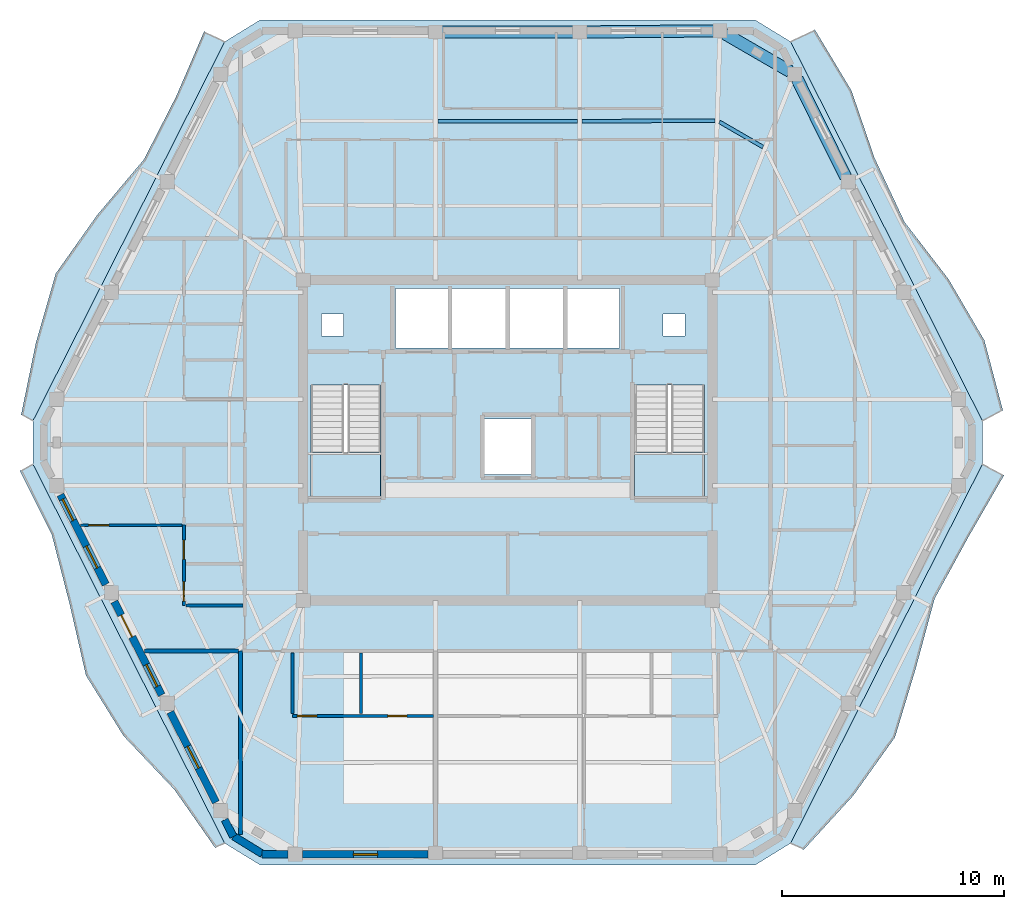
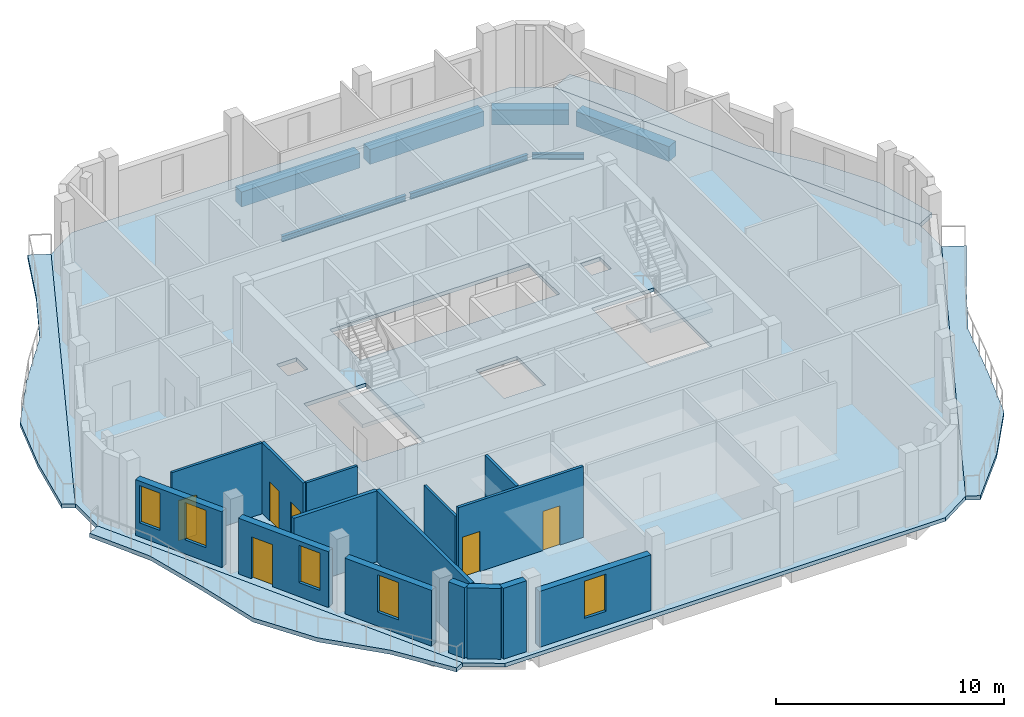
# One storey, part 3 of 11: 15 walls, 7 beams, 7 slabs, 6 doors, 5 windows, 11 openings, 2 elements without a shape of their own.
"""IFC4 building model written with IfcOpenShell, lengths in metres."""

import ifcopenshell
import ifcopenshell.guid

model = None  # the IFC model being written
_history = None  # IfcOwnerHistory: only IFC2X3 demands one
_inside = {}  # id of a spatial element -> (the spatial element, [elements in it])
_under = {}  # id of a project, library or spatial element -> (it, [spatial elements below it])
_declared = {}  # id of a project -> (the project, [libraries it declares])
_typed = {}  # id of a type object -> (the type object, [elements of that type])
_made_of = {}  # id of a material, layer set ... -> (it, [elements and type objects made of it])


def new_model(schema):
    """Start an empty IFC model of exactly this schema.

    Asked for "IFC4X3", IfcOpenShell would pick the latest addendum, in which some entities
    have other attributes; the version numbers below select the first issue.
    IFC2X3 requires an IfcOwnerHistory on every rooted entity: one is made here for all.
    """
    global model, _history
    if schema == "IFC4X3":
        model = ifcopenshell.file(schema_version=(4, 3, 0, 0))
    else:
        model = ifcopenshell.file(schema=schema)
    _inside.clear()
    _under.clear()
    _declared.clear()
    _typed.clear()
    _made_of.clear()
    _history = None
    if model.schema == "IFC2X3":
        org = make("IfcOrganization", Name="unknown")
        user = make(
            "IfcPersonAndOrganization",
            ThePerson=make("IfcPerson", FamilyName="unknown"),
            TheOrganization=org,
        )
        app = make(
            "IfcApplication",
            ApplicationDeveloper=org,
            Version="unknown",
            ApplicationFullName="unknown",
            ApplicationIdentifier="unknown",
        )
        _history = make(
            "IfcOwnerHistory",
            OwningUser=user,
            OwningApplication=app,
            ChangeAction="ADDED",
            CreationDate=0,
        )
    return model


def make(cls, **values):
    """One entity of the class cls with the attributes given. An attribute that is None is left unset."""
    return model.create_entity(
        cls, **{name: value for name, value in values.items() if value is not None}
    )


def rooted(cls, **values):
    """An entity with a GlobalId (a new one), such as an element, a storey or a relation."""
    return make(cls, GlobalId=ifcopenshell.guid.new(), OwnerHistory=_history, **values)


def si_unit(unit_type, name, prefix=None):
    """IfcSIUnit, for example si_unit("LENGTHUNIT", "METRE", prefix="MILLI")."""
    return make("IfcSIUnit", UnitType=unit_type, Prefix=prefix, Name=name)


def assignment(units):
    """IfcUnitAssignment: the units of a project."""
    return None if units is None else make("IfcUnitAssignment", Units=units)


def point(xyz):
    """IfcCartesianPoint."""
    return None if xyz is None else make("IfcCartesianPoint", Coordinates=xyz)


def direction(xyz):
    """IfcDirection."""
    return None if xyz is None else make("IfcDirection", DirectionRatios=xyz)


def frame(location, z_axis=None, x_axis=None):
    """IfcAxis2Placement3D, a coordinate frame: its origin and axes. An axis left out is left unset."""
    return make(
        "IfcAxis2Placement3D",
        Location=point(location),
        Axis=direction(z_axis),
        RefDirection=direction(x_axis),
    )


def frame_2d(location, x_axis=None):
    """IfcAxis2Placement2D, a coordinate frame in the plane: its origin and x axis."""
    return make(
        "IfcAxis2Placement2D", Location=point(location), RefDirection=direction(x_axis)
    )


def origin():
    """The frame at (0, 0, 0) with its axes left unset."""
    return frame((0.0, 0.0, 0.0))


def origin_2d():
    """The frame at (0, 0) in the plane with its x axis left unset."""
    return frame_2d((0.0, 0.0))


def place(relative_to, where):
    """IfcLocalPlacement: puts the frame where relative to a parent placement (None: the world)."""
    return make(
        "IfcLocalPlacement", PlacementRelTo=relative_to, RelativePlacement=where
    )


def context(
    kind, dimensions, precision=None, world=None, true_north=None, identifier=None
):
    """IfcGeometricRepresentationContext, for example the 3D "Model" context."""
    return make(
        "IfcGeometricRepresentationContext",
        ContextIdentifier=identifier,
        ContextType=kind,
        CoordinateSpaceDimension=dimensions,
        Precision=precision,
        WorldCoordinateSystem=world,
        TrueNorth=true_north,
    )


def subcontext(parent, identifier, kind, view, scale=None):
    """IfcGeometricRepresentationSubContext, for example "Body" below "Model"."""
    return make(
        "IfcGeometricRepresentationSubContext",
        ContextIdentifier=identifier,
        ContextType=kind,
        ParentContext=parent,
        TargetScale=scale,
        TargetView=view,
    )


def project(units=None, contexts=None):
    """IfcProject with its units and contexts."""
    return rooted(
        "IfcProject",
        Name="project",
        RepresentationContexts=contexts,
        UnitsInContext=assignment(units),
    )


def spatial(cls, under=None, at=None, **own):
    """A site, building, storey or space (cls), placed at a placement, below another one or the project."""
    s = rooted(cls, ObjectPlacement=at, **own)
    if under is not None:
        _under.setdefault(under.id(), (under, []))[1].append(s)
    return s


def polyline(points):
    """IfcPolyline through the points."""
    return make("IfcPolyline", Points=[point(p) for p in points])


def profile(cls, at=None, kind="AREA", **sizes):
    """A parametric profile (cls). Its sizes go by their IFC names, for example OverallWidth=200.0."""
    return make(cls, ProfileType=kind, Position=at, **sizes)


def rectangle(**sizes):
    """IfcRectangleProfileDef."""
    return profile("IfcRectangleProfileDef", **sizes)


def i_section(**sizes):
    """IfcIShapeProfileDef."""
    return profile("IfcIShapeProfileDef", **sizes)


def outline(outer, holes=None, kind="AREA"):
    """IfcArbitraryClosedProfileDef: a profile drawn as a closed curve; with holes, ...WithVoids."""
    if holes is None:
        return make("IfcArbitraryClosedProfileDef", ProfileType=kind, OuterCurve=outer)
    return make(
        "IfcArbitraryProfileDefWithVoids",
        ProfileType=kind,
        OuterCurve=outer,
        InnerCurves=holes,
    )


def extrude(swept, where, along, depth):
    """IfcExtrudedAreaSolid: the profile swept, set in the frame where, extruded along a direction by depth."""
    return make(
        "IfcExtrudedAreaSolid",
        SweptArea=swept,
        Position=where,
        ExtrudedDirection=direction(along),
        Depth=depth,
    )


def shape(context_of_items, identifier, shape_type, items):
    """IfcShapeRepresentation: the items that make up one representation, for example the "Body"."""
    return make(
        "IfcShapeRepresentation",
        ContextOfItems=context_of_items,
        RepresentationIdentifier=identifier,
        RepresentationType=shape_type,
        Items=items,
    )


def material(Name=None, Category=None):
    """IfcMaterial."""
    return make("IfcMaterial", Name=Name, Category=Category)


def layer(
    of_material, thickness, ventilated=None, Name=None, Category=None, Priority=None
):
    """IfcMaterialLayer: one layer of a wall or slab, of a material (None: an air gap)."""
    return make(
        "IfcMaterialLayer",
        Material=of_material,
        LayerThickness=thickness,
        IsVentilated=ventilated,
        Name=Name,
        Category=Category,
        Priority=Priority,
    )


def layer_set(layers, Name=None):
    """IfcMaterialLayerSet."""
    return make("IfcMaterialLayerSet", MaterialLayers=layers, LayerSetName=Name)


def material_profile(
    of_material, cross_section, Name=None, Category=None, Priority=None
):
    """IfcMaterialProfile: a cross section and its material."""
    return make(
        "IfcMaterialProfile",
        Name=Name,
        Material=of_material,
        Profile=cross_section,
        Priority=Priority,
        Category=Category,
    )


def profile_set(profiles, Name=None, composite=None):
    """IfcMaterialProfileSet."""
    return make(
        "IfcMaterialProfileSet",
        Name=Name,
        MaterialProfiles=profiles,
        CompositeProfile=composite,
    )


def made_of(thing, what):
    """Note that an element or type object is made of a material, layer set ...; save() writes the relation."""
    if what is not None:
        _made_of.setdefault(what.id(), (what, []))[1].append(thing)
    return thing


def type_object(cls, material=None, **own):
    """A type object (cls), such as IfcWallType, which elements share."""
    return made_of(rooted(cls, **own), material)


def element(
    cls,
    number,
    at=None,
    inside=None,
    cuts=None,
    type_object=None,
    material=None,
    context=None,
    identifier="Body",
    shape_type=None,
    held_by="IfcProductDefinitionShape",
    body=None,
    shapes=None,
    **own,
):
    """One element of the class cls, such as IfcWall. Its Tag is "e" and its number.

    at: its placement. inside: the storey or other place that contains it. cuts: it is an
    opening in that element (IfcRelVoidsElement). A single representation is given by context,
    identifier, shape_type and body (its items); several are given by shapes. held_by: the class
    of the entity that holds the representations. save() writes the other relations.
    """
    e = rooted(cls, Tag="e%d" % number, ObjectPlacement=at, **own)
    if body is not None:
        shapes = [shape(context, identifier, shape_type, body)]
    if shapes is not None:
        e.Representation = make(held_by, Representations=shapes)
    if inside is not None:
        _inside.setdefault(inside.id(), (inside, []))[1].append(e)
    if cuts is not None:
        rooted(
            "IfcRelVoidsElement", RelatingBuildingElement=cuts, RelatedOpeningElement=e
        )
    if type_object is not None:
        _typed.setdefault(type_object.id(), (type_object, []))[1].append(e)
    return made_of(e, material)


def fill(opening, filler):
    """IfcRelFillsElement: the door or window that sits in an opening."""
    return rooted(
        "IfcRelFillsElement",
        RelatingOpeningElement=opening,
        RelatedBuildingElement=filler,
    )


def aggregate(whole, parts):
    """IfcRelAggregates: a whole, such as a stair, and the parts it consists of."""
    return rooted("IfcRelAggregates", RelatingObject=whole, RelatedObjects=parts)


def save(model, path):
    """Write the relations noted so far, then the file.

    IfcRelAggregates (storeys below a building ...), IfcRelContainedInSpatialStructure (elements
    in a storey), IfcRelDefinesByType, IfcRelAssociatesMaterial and IfcRelDeclares: one each for
    every whole, place, type object, material and project.
    """
    for whole, parts in _under.values():
        aggregate(whole, parts)
    for where, things in _inside.values():
        rooted(
            "IfcRelContainedInSpatialStructure",
            RelatedElements=things,
            RelatingStructure=where,
        )
    for kind, things in _typed.values():
        rooted("IfcRelDefinesByType", RelatedObjects=things, RelatingType=kind)
    for what, things in _made_of.values():
        rooted("IfcRelAssociatesMaterial", RelatedObjects=things, RelatingMaterial=what)
    for by, libraries in _declared.values():
        rooted("IfcRelDeclares", RelatingContext=by, RelatedDefinitions=libraries)
    model.write(path)


model = new_model("IFC4")

# Units and contexts
model_context = context("Model", 3, precision=1e-05, world=origin(), true_north=direction((0.0, 1.0)))
body_context = subcontext(model_context, "Body", "Model", "MODEL_VIEW")
ifc_project = project(units=[si_unit("LENGTHUNIT", "METRE"), si_unit("AREAUNIT", "SQUARE_METRE"), si_unit("VOLUMEUNIT", "CUBIC_METRE"), si_unit("PLANEANGLEUNIT", "RADIAN"), si_unit("MASSUNIT", "GRAM", prefix="KILO")], contexts=[model_context])

# Site, building, storey
site_placement = place(None, origin())
site = spatial("IfcSite", under=ifc_project, at=site_placement, CompositionType="ELEMENT")
building_placement = place(site_placement, origin())
building = spatial("IfcBuilding", under=site, at=building_placement, Name="Cinnabar Lancet Tower", CompositionType="ELEMENT")
storey_placement = place(building_placement, frame((0.0, 0.0, 283.5)))
storey = spatial("IfcBuildingStorey", under=building, at=storey_placement, Name="L75", CompositionType="ELEMENT", Elevation=283.5)

# Beams
ifc_material_1 = material(Name="Structural steel S355", Category="steel")
ifc_material_profile_1 = material_profile(ifc_material_1, i_section(OverallWidth=0.1650390625, OverallDepth=0.303466796875, WebThickness=0.006103515625, FlangeThickness=0.01025390625, FilletRadius=0.0087890625, at=origin_2d()), Name="UKB 305x165x40")
ifc_profile_set_1 = profile_set([ifc_material_profile_1], Name="Structural steel S355")
beam_type_1 = type_object("IfcBeamType", Name="STR-BM-JST-305", PredefinedType="JOIST", material=ifc_profile_set_1)
beam_1_placement = place(storey_placement, frame((43.912109375, 39.1201171875, -0.35205078125), z_axis=(-0.865426285481, 0.501036270542, 0.0), x_axis=(-0.501036270542, -0.865426285481, 0.0)))
element("IfcBeam", 1, at=beam_1_placement, inside=storey, type_object=beam_type_1, Name="L75 Secondary Floor Joist 29", PredefinedType="JOIST", context=body_context, shape_type="SweptSolid", body=[
    extrude(i_section(OverallWidth=0.1650390625, OverallDepth=0.303466796875, WebThickness=0.006103515625, FlangeThickness=0.01025390625, FilletRadius=0.0087890625, at=origin_2d()), origin(), (0.0, 0.0, 1.0), 2.267333984375),
])
beam_2_placement = place(storey_placement, frame((41.741943359375, 40.31494140625, -0.35205078125), z_axis=(-0.999985712428, -0.005345553266, 0.0), x_axis=(0.005345553266, -0.999985712428, 0.0)))
element("IfcBeam", 2, at=beam_2_placement, inside=storey, type_object=beam_type_1, Name="L75 Secondary Floor Joist 30", PredefinedType="JOIST", context=body_context, shape_type="SweptSolid", body=[
    extrude(i_section(OverallWidth=0.1650390625, OverallDepth=0.303466796875, WebThickness=0.006103515625, FlangeThickness=0.01025390625, FilletRadius=0.0087890625, at=origin_2d()), origin(), (0.0, 0.0, 1.0), 5.98291015625),
])
beam_3_placement = place(storey_placement, frame((35.549072265625, 40.281982421875, -0.35205078125), z_axis=(-1.0, 0.0, 0.0), x_axis=(0.0, -1.0, 0.0)))
element("IfcBeam", 3, at=beam_3_placement, inside=storey, type_object=beam_type_1, Name="L75 Secondary Floor Joist 32", PredefinedType="JOIST", context=body_context, shape_type="SweptSolid", body=[
    extrude(i_section(OverallWidth=0.1650390625, OverallDepth=0.303466796875, WebThickness=0.006103515625, FlangeThickness=0.01025390625, FilletRadius=0.0087890625, at=origin_2d()), origin(), (0.0, 0.0, 1.0), 6.298095703125),
])
ifc_material_2 = material(Name="Concrete C50/60", Category="concrete")
ifc_material_profile_2 = material_profile(ifc_material_2, rectangle(XDim=0.550048828125, YDim=0.800048828125, at=origin_2d()), Name="RC-SB 550x800")
ifc_profile_set_2 = profile_set([ifc_material_profile_2], Name="Concrete C50/60")
beam_type_2 = type_object("IfcBeamType", Name="STR-BM-RCSB-800", PredefinedType="SPANDREL", material=ifc_profile_set_2)
beam_4_placement = place(storey_placement, frame((47.637939453125, 37.778076171875, -0.60009765625), z_axis=(-0.444372599207, 0.895842058107, 0.0), x_axis=(-0.895842058107, -0.444372599207, 0.0)))
element("IfcBeam", 4, at=beam_4_placement, inside=storey, type_object=beam_type_2, Name="L75 Perimeter Spandrel 11", PredefinedType="SPANDREL", context=body_context, shape_type="SweptSolid", body=[
    extrude(rectangle(XDim=0.550048828125, YDim=0.800048828125, at=origin_2d()), origin(), (0.0, 0.0, 1.0), 4.91943359375),
])
beam_5_placement = place(storey_placement, frame((45.125, 42.533935546875, -0.60009765625), z_axis=(-0.865199693264, 0.501427453153, 0.0), x_axis=(-0.501427453153, -0.865199693264, 0.0)))
element("IfcBeam", 5, at=beam_5_placement, inside=storey, type_object=beam_type_2, Name="L75 Perimeter Spandrel 12", PredefinedType="SPANDREL", context=body_context, shape_type="SweptSolid", body=[
    extrude(rectangle(XDim=0.550048828125, YDim=0.800048828125, at=origin_2d()), origin(), (0.0, 0.0, 1.0), 3.39453125),
])
beam_6_placement = place(storey_placement, frame((41.721923828125, 44.35888671875, -0.60009765625), z_axis=(-0.999964782464, -0.008392486634, 0.0), x_axis=(0.008392486634, -0.999964782464, 0.0)))
element("IfcBeam", 6, at=beam_6_placement, inside=storey, type_object=beam_type_2, Name="L75 Perimeter Spandrel 13", PredefinedType="SPANDREL", context=body_context, shape_type="SweptSolid", body=[
    extrude(rectangle(XDim=0.550048828125, YDim=0.800048828125, at=origin_2d()), origin(), (0.0, 0.0, 1.0), 5.818115234375),
])
beam_7_placement = place(storey_placement, frame((35.404052734375, 44.30810546875, -0.60009765625), z_axis=(-1.0, 0.0, 0.0), x_axis=(0.0, -1.0, 0.0)))
element("IfcBeam", 7, at=beam_7_placement, inside=storey, type_object=beam_type_2, Name="L75 Perimeter Spandrel 14", PredefinedType="SPANDREL", context=body_context, shape_type="SweptSolid", body=[
    extrude(rectangle(XDim=0.550048828125, YDim=0.800048828125, at=origin_2d()), origin(), (0.0, 0.0, 1.0), 6.008056640625),
])

# Stair, slab
ifc_material_3 = material(Name="Concrete C40/50", Category="concrete")
stair_type = type_object("IfcStairType", Name="ST-CORE", PredefinedType="HALF_TURN_STAIR", material=ifc_material_3)
stair_1_placement = place(storey_placement, origin())
stair_1 = element("IfcStair", 8, at=stair_1_placement, inside=storey, type_object=stair_type, Name="L75 ST-1", PredefinedType="HALF_TURN_STAIR")
ifc_material_4 = material(Name="Concrete C40/50", Category="concrete")
ifc_layer_1 = layer(ifc_material_4, 0.199951171875)
ifc_layer_set_1 = layer_set([ifc_layer_1], Name="Concrete C40/50")
slab_type_1 = type_object("IfcSlabType", Name="LANDING-CORE", PredefinedType="LANDING", material=ifc_layer_set_1)
slab_1_placement = place(storey_placement, frame((0.0, 0.0, 1.800048828125)))
slab_1 = element("IfcSlab", 9, at=slab_1_placement, type_object=slab_type_1, Name="ST-1 landing 1", PredefinedType="LANDING", context=body_context, shape_type="SweptSolid", body=[
    extrude(outline(polyline([(23.52490234375, 25.375), (23.52490234375, 23.25), (26.675048828125, 23.25), (26.675048828125, 25.375), (23.52490234375, 25.375)])), origin(), (0.0, 0.0, 1.0), 0.199951171875),
])
aggregate(stair_1, [slab_1])

stair_2_placement = place(storey_placement, origin())
stair_2 = element("IfcStair", 10, at=stair_2_placement, inside=storey, type_object=stair_type, Name="L75 ST-2", PredefinedType="HALF_TURN_STAIR")
slab_2_placement = place(storey_placement, frame((0.0, 0.0, 1.800048828125)))
slab_2 = element("IfcSlab", 11, at=slab_2_placement, type_object=slab_type_1, Name="ST-2 landing 1", PredefinedType="LANDING", context=body_context, shape_type="SweptSolid", body=[
    extrude(outline(polyline([(38.125, 25.375), (38.125, 23.25), (41.27490234375, 23.25), (41.27490234375, 25.375), (38.125, 25.375)])), origin(), (0.0, 0.0, 1.0), 0.199951171875),
])
aggregate(stair_2, [slab_2])

# Slabs
ifc_material_5 = material(Name="Concrete C40/50", Category="concrete")
ifc_layer_2 = layer(ifc_material_5, 0.199951171875)
ifc_layer_set_2 = layer_set([ifc_layer_2], Name="Concrete C40/50")
slab_type_2 = type_object("IfcSlabType", Name="STR-SLB-FLR-200", PredefinedType="FLOOR", material=ifc_layer_set_2)
slab_3_placement = place(storey_placement, frame((0.0, 0.0, -0.199951171875)))
element("IfcSlab", 12, at=slab_3_placement, inside=storey, type_object=slab_type_2, Name="L75 Structural Floor Slab", PredefinedType="FLOOR", context=body_context, shape_type="SweptSolid", body=[
    extrude(outline(polyline([(19.638916015625, 7.73193359375), (21.236083984375, 6.75), (43.56396484375, 6.75), (45.160888671875, 7.73193359375), (53.802978515625, 24.818115234375), (53.802978515625, 26.781982421875), (45.160888671875, 43.867919921875), (43.56396484375, 44.85009765625), (21.236083984375, 44.85009765625), (19.638916015625, 43.867919921875), (10.9970703125, 26.781982421875), (10.9970703125, 24.818115234375), (19.638916015625, 7.73193359375)]), holes=[polyline([(23.52490234375, 23.25), (26.675048828125, 23.25), (26.675048828125, 28.3994140625), (23.52490234375, 28.3994140625), (23.52490234375, 23.25)]), polyline([(38.125, 23.25), (41.27490234375, 23.25), (41.27490234375, 28.3994140625), (38.125, 28.3994140625), (38.125, 23.25)]), polyline([(27.35009765625, 30.050048828125), (37.449951171875, 30.050048828125), (37.449951171875, 32.75), (27.35009765625, 32.75), (27.35009765625, 30.050048828125)]), polyline([(31.35009765625, 24.35009765625), (33.449951171875, 24.35009765625), (33.449951171875, 26.85009765625), (31.35009765625, 26.85009765625), (31.35009765625, 24.35009765625)]), polyline([(24.0, 30.60009765625), (25.0, 30.60009765625), (25.0, 31.60009765625), (24.0, 31.60009765625), (24.0, 30.60009765625)]), polyline([(39.39990234375, 30.60009765625), (40.39990234375, 30.60009765625), (40.39990234375, 31.60009765625), (39.39990234375, 31.60009765625), (39.39990234375, 30.60009765625)])]), origin(), (0.0, 0.0, 1.0), 0.199951171875),
])
ifc_material_6 = material(Name="Concrete C45/55", Category="concrete")
ifc_layer_3 = layer(ifc_material_6, 0.219970703125)
ifc_layer_set_3 = layer_set([ifc_layer_3], Name="Concrete C45/55")
slab_type_3 = type_object("IfcSlabType", Name="STR-SLB-WAV-220", PredefinedType="FLOOR", material=ifc_layer_set_3)
slab_4_placement = place(storey_placement, frame((0.0, 0.0, -0.219970703125)))
element("IfcSlab", 13, at=slab_4_placement, inside=storey, type_object=slab_type_3, Name="L75 Face 2 Undulating Wave Balcony Slab", PredefinedType="FLOOR", context=body_context, shape_type="SweptSolid", body=[
    extrude(outline(polyline([(45.160888671875, 7.73193359375), (45.7470703125, 7.43603515625), (47.98291015625, 9.881103515625), (49.861083984375, 12.507080078125), (50.797119140625, 15.610107421875), (51.64892578125, 18.7548828125), (53.181884765625, 21.555908203125), (54.779052734375, 24.323974609375), (53.802978515625, 24.818115234375), (45.160888671875, 7.73193359375)])), origin(), (0.0, 0.0, 1.0), 0.219970703125),
])
slab_5_placement = place(storey_placement, frame((0.0, 0.0, -0.219970703125)))
element("IfcSlab", 14, at=slab_5_placement, inside=storey, type_object=slab_type_3, Name="L75 Face 3 Undulating Wave Balcony Slab", PredefinedType="FLOOR", context=body_context, shape_type="SweptSolid", body=[
    extrude(outline(polyline([(53.802978515625, 26.781982421875), (54.72705078125, 27.2490234375), (53.89306640625, 30.404052734375), (52.277099609375, 33.1630859375), (50.2958984375, 35.737060546875), (48.93994140625, 38.626953125), (47.89599609375, 41.675048828125), (46.248046875, 44.41796875), (45.160888671875, 43.867919921875), (53.802978515625, 26.781982421875)])), origin(), (0.0, 0.0, 1.0), 0.219970703125),
])
slab_6_placement = place(storey_placement, frame((0.0, 0.0, -0.219970703125)))
element("IfcSlab", 15, at=slab_6_placement, inside=storey, type_object=slab_type_3, Name="L75 Face 5 Undulating Wave Balcony Slab", PredefinedType="FLOOR", context=body_context, shape_type="SweptSolid", body=[
    extrude(outline(polyline([(19.638916015625, 43.867919921875), (18.715087890625, 44.3349609375), (17.451904296875, 41.39794921875), (15.9970703125, 38.55810546875), (13.886962890625, 36.049072265625), (12.02392578125, 33.4150390625), (11.1279296875, 30.2919921875), (10.462890625, 27.052001953125), (10.9970703125, 26.781982421875), (19.638916015625, 43.867919921875)])), origin(), (0.0, 0.0, 1.0), 0.219970703125),
])
slab_7_placement = place(storey_placement, frame((0.0, 0.0, -0.219970703125)))
element("IfcSlab", 16, at=slab_7_placement, inside=storey, type_object=slab_type_3, Name="L75 Face 6 Undulating Wave Balcony Slab", PredefinedType="FLOOR", context=body_context, shape_type="SweptSolid", body=[
    extrude(outline(polyline([(10.9970703125, 24.818115234375), (10.410888671875, 24.52197265625), (11.839111328125, 21.66796875), (12.652099609375, 18.5029296875), (13.385986328125, 15.298095703125), (15.075927734375, 12.575927734375), (17.365966796875, 10.157958984375), (19.216064453125, 7.51806640625), (19.638916015625, 7.73193359375), (10.9970703125, 24.818115234375)])), origin(), (0.0, 0.0, 1.0), 0.219970703125),
])

# Walls
ifc_material_7 = material(Name="Fire-rated twin-frame acoustic drywall", Category="gypsum")
ifc_layer_4 = layer(ifc_material_7, 0.179931640625)
ifc_layer_set_4 = layer_set([ifc_layer_4], Name="Fire-rated twin-frame acoustic drywall")
wall_type_1 = type_object("IfcWallType", Name="ARC-WL-PARTY-180", PredefinedType="PARTITIONING", material=ifc_layer_set_4)
wall_1_placement = place(storey_placement, frame((20.35009765625, 8.118896484375, 0.0), z_axis=(0.0, 0.0, 1.0), x_axis=(0.0, 1.0, 0.0)))
element("IfcWall", 17, at=wall_1_placement, inside=storey, type_object=wall_type_1, Name="PW-L75-SPTY-204", PredefinedType="PARTITIONING", context=body_context, shape_type="SweptSolid", body=[
    extrude(rectangle(XDim=8.281005859375, YDim=0.179931640625, at=frame_2d((4.140625, 0.0))), origin(), (0.0, 0.0, 1.0), 3.800048828125),
])
wall_2_placement = place(storey_placement, frame((16.033935546875, 16.39990234375, 0.0), z_axis=(0.0, 0.0, 1.0), x_axis=(1.0, 0.0, 0.0)))
element("IfcWall", 18, at=wall_2_placement, inside=storey, type_object=wall_type_1, Name="PW-L75-WSB", PredefinedType="PARTITIONING", context=body_context, shape_type="SweptSolid", body=[
    extrude(rectangle(XDim=4.220947265625, YDim=0.179931640625, at=frame_2d((2.1103515625, 0.0))), origin(), (0.0, 0.0, 1.0), 3.800048828125),
])
ifc_material_8 = material(Name="Gypsum plasterboard stud partition", Category="gypsum")
ifc_layer_5 = layer(ifc_material_8, 0.125)
ifc_layer_set_5 = layer_set([ifc_layer_5], Name="Gypsum plasterboard stud partition")
wall_type_2 = type_object("IfcWallType", Name="ARC-WL-UNIT-125", PredefinedType="PARTITIONING", material=ifc_layer_set_5)
wall_3_placement = place(storey_placement, frame((22.699951171875, 13.573974609375, 0.0), z_axis=(0.0, 0.0, 1.0), x_axis=(0.0, 1.0, 0.0)))
element("IfcWall", 19, at=wall_3_placement, inside=storey, type_object=wall_type_2, Name="UW-L75-S01-FOYE", PredefinedType="PARTITIONING", context=body_context, shape_type="SweptSolid", body=[
    extrude(rectangle(XDim=2.740966796875, YDim=0.125, at=frame_2d((1.37060546875, 0.0))), origin(), (0.0, 0.0, 1.0), 3.257080078125),
])
wall_4_placement = place(storey_placement, frame((17.885009765625, 18.449951171875, 0.0), z_axis=(0.0, 0.0, 1.0), x_axis=(1.0, 0.0, 0.0)))
element("IfcWall", 20, at=wall_4_placement, inside=storey, type_object=wall_type_2, Name="UW-L75-W01-FOYN", PredefinedType="PARTITIONING", context=body_context, shape_type="SweptSolid", body=[
    extrude(rectangle(XDim=2.580078125, YDim=0.125, at=frame_2d((1.2900390625, 0.0))), origin(), (0.0, 0.0, 1.0), 3.800048828125),
])

# Wall, opening, door
wall_5_placement = place(storey_placement, frame((13.14990234375, 22.072998046875, 0.0), z_axis=(0.0, 0.0, 1.0), x_axis=(1.0, 0.0, 0.0)))
wall_5 = element("IfcWall", 21, at=wall_5_placement, inside=storey, type_object=wall_type_2, Name="UW-L75-W01-MBN", PredefinedType="PARTITIONING", context=body_context, shape_type="SweptSolid", body=[
    extrude(rectangle(XDim=4.5751953125, YDim=0.125, at=frame_2d((2.28759765625, 0.0))), origin(), (0.0, 0.0, 1.0), 3.800048828125),
])
opening_1_placement = place(wall_5_placement, frame((0.35009765625, 0.0, 0.0)))
opening_1 = element("IfcOpeningElement", 22, at=opening_1_placement, cuts=wall_5, Name="Opening RD-01", PredefinedType="OPENING", context=body_context, shape_type="SweptSolid", body=[
    extrude(rectangle(XDim=0.919921875, YDim=2.14990234375, at=frame_2d((0.4599609375, 1.074951171875))), frame((0.0, 0.072509765625, 0.0), z_axis=(0.0, -1.0, 0.0), x_axis=(1.0, 0.0, 0.0)), (0.0, 0.0, 1.0), 0.14501953125),
])
ifc_material_9 = material(Name="Engineered timber bedroom door", Category="wood")
door_type_1 = type_object("IfcDoorType", Name="ARC-DR-ROOM", OperationType="NOTDEFINED", PredefinedType="DOOR", material=ifc_material_9)
door_1_placement = place(opening_1_placement, origin())
door_1 = element("IfcDoor", 23, at=door_1_placement, inside=storey, type_object=door_type_1, Name="DR-L75-W01-MBD", OperationType="SINGLE_SWING_LEFT", OverallHeight=2.14990234375, OverallWidth=0.919921875, PredefinedType="DOOR", context=body_context, shape_type="SweptSolid", body=[
    extrude(rectangle(XDim=0.919921875, YDim=2.14990234375, at=frame_2d((0.4599609375, 1.074951171875))), frame((0.0, 0.02490234375, 0.0), z_axis=(0.0, -1.0, 0.0), x_axis=(1.0, 0.0, 0.0)), (0.0, 0.0, 1.0), 0.050048828125),
])
fill(opening_1, door_1)

# Wall, openings, doors
ifc_material_10 = material(Name="Moisture-resistant cement-board plumbing wall", Category="masonry")
ifc_layer_6 = layer(ifc_material_10, 0.139892578125)
ifc_layer_set_6 = layer_set([ifc_layer_6], Name="Moisture-resistant cement-board plumbing wall")
wall_type_3 = type_object("IfcWallType", Name="ARC-WL-WET-140", PredefinedType="PLUMBINGWALL", material=ifc_layer_set_6)
wall_6_placement = place(storey_placement, frame((22.699951171875, 13.468994140625, 0.0), z_axis=(0.0, 0.0, 1.0), x_axis=(1.0, 0.0, 0.0)))
wall_6 = element("IfcWall", 24, at=wall_6_placement, inside=storey, type_object=wall_type_3, Name="UW-L75-S01-SPL", PredefinedType="PLUMBINGWALL", context=body_context, shape_type="SweptSolid", body=[
    extrude(rectangle(XDim=6.35107421875, YDim=0.139892578125, at=frame_2d((3.175537109375, 0.0))), origin(), (0.0, 0.0, 1.0), 3.800048828125),
])
opening_2_placement = place(wall_6_placement, frame((4.298095703125, 0.0, 0.0)))
opening_2 = element("IfcOpeningElement", 25, at=opening_2_placement, cuts=wall_6, Name="Opening BD-01", PredefinedType="OPENING", context=body_context, shape_type="SweptSolid", body=[
    extrude(rectangle(XDim=0.860107421875, YDim=2.10009765625, at=frame_2d((0.43017578125, 1.050048828125))), frame((0.0, 0.079833984375, 0.0), z_axis=(0.0, -1.0, 0.0), x_axis=(1.0, 0.0, 0.0)), (0.0, 0.0, 1.0), 0.159912109375),
])
opening_3_placement = place(wall_6_placement, frame((0.219970703125, 0.0, 0.0)))
opening_3 = element("IfcOpeningElement", 26, at=opening_3_placement, cuts=wall_6, Name="Opening RD-02", PredefinedType="OPENING", context=body_context, shape_type="SweptSolid", body=[
    extrude(rectangle(XDim=0.8798828125, YDim=2.14990234375, at=frame_2d((0.43994140625, 1.074951171875))), frame((0.0, 0.079833984375, 0.0), z_axis=(0.0, -1.0, 0.0), x_axis=(1.0, 0.0, 0.0)), (0.0, 0.0, 1.0), 0.159912109375),
])
ifc_material_11 = material(Name="Moisture-resistant timber bathroom door", Category="wood")
door_type_2 = type_object("IfcDoorType", Name="ARC-DR-BATH", OperationType="NOTDEFINED", PredefinedType="DOOR", material=ifc_material_11)
door_2_placement = place(opening_2_placement, origin())
door_2 = element("IfcDoor", 27, at=door_2_placement, inside=storey, type_object=door_type_2, Name="DR-L75-S01-BTH", OperationType="SINGLE_SWING_LEFT", OverallHeight=2.10009765625, OverallWidth=0.860107421875, PredefinedType="DOOR", context=body_context, shape_type="SweptSolid", body=[
    extrude(rectangle(XDim=0.860107421875, YDim=2.10009765625, at=frame_2d((0.43017578125, 1.050048828125))), frame((0.0, 0.02490234375, 0.0), z_axis=(0.0, -1.0, 0.0), x_axis=(1.0, 0.0, 0.0)), (0.0, 0.0, 1.0), 0.050048828125),
])
fill(opening_2, door_2)
ifc_material_12 = material(Name="Engineered timber study door", Category="wood")
door_type_3 = type_object("IfcDoorType", Name="ARC-DR-STUDY", OperationType="NOTDEFINED", PredefinedType="DOOR", material=ifc_material_12)
door_3_placement = place(opening_3_placement, origin())
door_3 = element("IfcDoor", 28, at=door_3_placement, inside=storey, type_object=door_type_3, Name="DR-L75-S01-KIT", OperationType="SINGLE_SWING_RIGHT", OverallHeight=2.14990234375, OverallWidth=0.8798828125, PredefinedType="DOOR", context=body_context, shape_type="SweptSolid", body=[
    extrude(rectangle(XDim=0.8798828125, YDim=2.14990234375, at=frame_2d((0.43994140625, 1.074951171875))), frame((0.0, 0.02490234375, 0.0), z_axis=(0.0, -1.0, 0.0), x_axis=(1.0, 0.0, 0.0)), (0.0, 0.0, 1.0), 0.050048828125),
])
fill(opening_3, door_3)

# Wall
wall_7_placement = place(storey_placement, frame((25.7939453125, 13.573974609375, 0.0), z_axis=(0.0, 0.0, 1.0), x_axis=(0.0, 1.0, 0.0)))
element("IfcWall", 29, at=wall_7_placement, inside=storey, type_object=wall_type_3, Name="UW-L75-S01-KDV", PredefinedType="PLUMBINGWALL", context=body_context, shape_type="SweptSolid", body=[
    extrude(rectangle(XDim=2.740966796875, YDim=0.139892578125, at=frame_2d((1.37060546875, 0.0))), origin(), (0.0, 0.0, 1.0), 3.800048828125),
])

# Wall, openings, doors
wall_8_placement = place(storey_placement, frame((17.800048828125, 18.449951171875, 0.0), z_axis=(0.0, 0.0, 1.0), x_axis=(0.0, 1.0, 0.0)))
wall_8 = element("IfcWall", 30, at=wall_8_placement, inside=storey, type_object=wall_type_3, Name="UW-L75-W01-SPL", PredefinedType="PLUMBINGWALL", context=body_context, shape_type="SweptSolid", body=[
    extrude(rectangle(XDim=3.623046875, YDim=0.139892578125, at=frame_2d((1.8115234375, 0.0))), origin(), (0.0, 0.0, 1.0), 3.800048828125),
])
opening_4_placement = place(wall_8_placement, frame((0.199951171875, 0.0, 0.0)))
opening_4 = element("IfcOpeningElement", 31, at=opening_4_placement, cuts=wall_8, Name="Opening RD-02", PredefinedType="OPENING", context=body_context, shape_type="SweptSolid", body=[
    extrude(rectangle(XDim=0.8798828125, YDim=2.14990234375, at=frame_2d((0.43994140625, 1.074951171875))), frame((0.0, 0.079833984375, 0.0), z_axis=(0.0, -1.0, 0.0), x_axis=(1.0, 0.0, 0.0)), (0.0, 0.0, 1.0), 0.159912109375),
])
opening_5_placement = place(wall_8_placement, frame((2.083984375, 0.0, 0.0)))
opening_5 = element("IfcOpeningElement", 32, at=opening_5_placement, cuts=wall_8, Name="Opening BD-01", PredefinedType="OPENING", context=body_context, shape_type="SweptSolid", body=[
    extrude(rectangle(XDim=0.860107421875, YDim=2.10009765625, at=frame_2d((0.43017578125, 1.050048828125))), frame((0.0, 0.079833984375, 0.0), z_axis=(0.0, -1.0, 0.0), x_axis=(1.0, 0.0, 0.0)), (0.0, 0.0, 1.0), 0.159912109375),
])
door_4_placement = place(opening_5_placement, origin())
door_4 = element("IfcDoor", 33, at=door_4_placement, inside=storey, type_object=door_type_2, Name="DR-L75-W01-BTH", OperationType="SINGLE_SWING_LEFT", OverallHeight=2.10009765625, OverallWidth=0.860107421875, PredefinedType="DOOR", context=body_context, shape_type="SweptSolid", body=[
    extrude(rectangle(XDim=0.860107421875, YDim=2.10009765625, at=frame_2d((0.43017578125, 1.050048828125))), frame((0.0, 0.02490234375, 0.0), z_axis=(0.0, -1.0, 0.0), x_axis=(1.0, 0.0, 0.0)), (0.0, 0.0, 1.0), 0.050048828125),
])
fill(opening_5, door_4)
door_5_placement = place(opening_4_placement, origin())
door_5 = element("IfcDoor", 34, at=door_5_placement, inside=storey, type_object=door_type_3, Name="DR-L75-W01-KIT", OperationType="SINGLE_SWING_RIGHT", OverallHeight=2.14990234375, OverallWidth=0.8798828125, PredefinedType="DOOR", context=body_context, shape_type="SweptSolid", body=[
    extrude(rectangle(XDim=0.8798828125, YDim=2.14990234375, at=frame_2d((0.43994140625, 1.074951171875))), frame((0.0, 0.02490234375, 0.0), z_axis=(0.0, -1.0, 0.0), x_axis=(1.0, 0.0, 0.0)), (0.0, 0.0, 1.0), 0.050048828125),
])
fill(opening_4, door_5)

# Walls
ifc_material_13 = material(Name="Cinnabar red clay brick", Category="masonry")
ifc_layer_7 = layer(ifc_material_13, 0.340087890625)
ifc_layer_set_7 = layer_set([ifc_layer_7], Name="Cinnabar red clay brick")
wall_type_4 = type_object("IfcWallType", Name="ENV-WL-BRK-RED-340", PredefinedType="STANDARD", material=ifc_layer_set_7)
wall_9_placement = place(storey_placement, frame((20.047119140625, 8.044921875, 0.0), z_axis=(0.0, 0.0, 1.0), x_axis=(0.851680557619, -0.52406128246, 0.0)))
element("IfcWall", 35, at=wall_9_placement, inside=storey, type_object=wall_type_4, Name="L75 Chamfered Corner Brick Pier 1.1", PredefinedType="STANDARD", context=body_context, shape_type="SweptSolid", body=[
    extrude(rectangle(XDim=1.507568359375, YDim=0.340087890625, at=frame_2d((0.75390625, 0.0))), origin(), (0.0, 0.0, 1.0), 3.800048828125),
])
wall_10_placement = place(storey_placement, frame((21.325927734375, 7.22998046875, 0.0), z_axis=(0.0, 0.0, 1.0), x_axis=(1.0, 0.0, 0.0)))
element("IfcWall", 36, at=wall_10_placement, inside=storey, type_object=wall_type_4, Name="L75 Face 1 Masonry Bay Wall 1", PredefinedType="STANDARD", context=body_context, shape_type="SweptSolid", body=[
    extrude(rectangle(XDim=1.173095703125, YDim=0.340087890625, at=frame_2d((0.58642578125, 0.0))), origin(), (0.0, 0.0, 1.0), 3.800048828125),
])

# Wall, opening, window
wall_11_placement = place(storey_placement, frame((23.156982421875, 7.22998046875, 0.0), z_axis=(0.0, 0.0, 1.0), x_axis=(1.0, 0.0, 0.0)))
wall_11 = element("IfcWall", 37, at=wall_11_placement, inside=storey, type_object=wall_type_4, Name="L75 Face 1 Masonry Bay Wall 2", PredefinedType="STANDARD", context=body_context, shape_type="SweptSolid", body=[
    extrude(rectangle(XDim=5.659912109375, YDim=0.340087890625, at=frame_2d((2.830078125, 0.0))), origin(), (0.0, 0.0, 1.0), 2.989990234375),
])
opening_6_placement = place(wall_11_placement, frame((2.280029296875, 0.0, 0.75)))
opening_6 = element("IfcOpeningElement", 38, at=opening_6_placement, cuts=wall_11, Name="Opening WN-04", PredefinedType="OPENING", context=body_context, shape_type="SweptSolid", body=[
    extrude(rectangle(XDim=1.10009765625, YDim=2.0, at=frame_2d((0.550048828125, 1.0))), frame((0.0, 0.179931640625, 0.0), z_axis=(0.0, -1.0, 0.0), x_axis=(1.0, 0.0, 0.0)), (0.0, 0.0, 1.0), 0.360107421875),
])
ifc_material_14 = material(Name="Thermally broken bronze-anodized aluminium tall lancet window", Category="aluminium")
window_type = type_object("IfcWindowType", Name="ENV-WN-LANCET-1100", PartitioningType="SINGLE_PANEL", PredefinedType="WINDOW", material=ifc_material_14)
window_1_placement = place(opening_6_placement, origin())
window_1 = element("IfcWindow", 39, at=window_1_placement, inside=storey, type_object=window_type, Name="L75 Face 1 Gothic Lancet Window 2", OverallHeight=2.0, OverallWidth=1.10009765625, PartitioningType="SINGLE_PANEL", PredefinedType="WINDOW", context=body_context, shape_type="SweptSolid", body=[
    extrude(rectangle(XDim=1.10009765625, YDim=2.0, at=frame_2d((0.550048828125, 1.0))), frame((0.0, 0.030029296875, 0.0), z_axis=(0.0, -1.0, 0.0), x_axis=(1.0, 0.0, 0.0)), (0.0, 0.0, 1.0), 0.06005859375),
])
fill(opening_6, window_1)

# Wall, openings, windows
wall_12_placement = place(storey_placement, frame((12.23193359375, 23.43896484375, 0.0), z_axis=(0.0, 0.0, 1.0), x_axis=(0.45147697324, -0.892282770558, 0.0)))
wall_12 = element("IfcWall", 40, at=wall_12_placement, inside=storey, type_object=wall_type_4, Name="L75 Face 6 Masonry Bay Wall 2", PredefinedType="STANDARD", context=body_context, shape_type="SweptSolid", body=[
    extrude(rectangle(XDim=4.530029296875, YDim=0.340087890625, at=frame_2d((2.26513671875, 0.0))), origin(), (0.0, 0.0, 1.0), 2.989990234375),
])
opening_7_placement = place(wall_12_placement, frame((0.219970703125, 0.0, 0.75)))
opening_7 = element("IfcOpeningElement", 41, at=opening_7_placement, cuts=wall_12, Name="Opening WN-04", PredefinedType="OPENING", context=body_context, shape_type="SweptSolid", body=[
    extrude(rectangle(XDim=1.072998046875, YDim=2.0, at=frame_2d((0.53662109375, 1.0))), frame((0.0, 0.179931640625, 0.0), z_axis=(0.0, -1.0, 0.0), x_axis=(1.0, 0.0, 0.0)), (0.0, 0.0, 1.0), 0.360107421875),
])
opening_8_placement = place(wall_12_placement, frame((2.592041015625, 0.0, 0.75)))
opening_8 = element("IfcOpeningElement", 42, at=opening_8_placement, cuts=wall_12, Name="Opening WN-04", PredefinedType="OPENING", context=body_context, shape_type="SweptSolid", body=[
    extrude(rectangle(XDim=1.10009765625, YDim=2.0, at=frame_2d((0.550048828125, 1.0))), frame((0.0, 0.179931640625, 0.0), z_axis=(0.0, -1.0, 0.0), x_axis=(1.0, 0.0, 0.0)), (0.0, 0.0, 1.0), 0.360107421875),
])
window_2_placement = place(opening_7_placement, origin())
window_2 = element("IfcWindow", 43, at=window_2_placement, inside=storey, type_object=window_type, Name="L75 Face 6 Gothic Lancet Window 2", OverallHeight=2.0, OverallWidth=1.072998046875, PartitioningType="SINGLE_PANEL", PredefinedType="WINDOW", context=body_context, shape_type="SweptSolid", body=[
    extrude(rectangle(XDim=1.072998046875, YDim=2.0, at=frame_2d((0.53662109375, 1.0))), frame((0.0, 0.030029296875, 0.0), z_axis=(0.0, -1.0, 0.0), x_axis=(1.0, 0.0, 0.0)), (0.0, 0.0, 1.0), 0.06005859375),
])
fill(opening_7, window_2)
window_3_placement = place(opening_8_placement, origin())
window_3 = element("IfcWindow", 44, at=window_3_placement, inside=storey, type_object=window_type, Name="L75 Split-Bay Gothic Lancet Window 281", OverallHeight=2.0, OverallWidth=1.10009765625, PartitioningType="SINGLE_PANEL", PredefinedType="WINDOW", context=body_context, shape_type="SweptSolid", body=[
    extrude(rectangle(XDim=1.10009765625, YDim=2.0, at=frame_2d((0.550048828125, 1.0))), frame((0.0, 0.030029296875, 0.0), z_axis=(0.0, -1.0, 0.0), x_axis=(1.0, 0.0, 0.0)), (0.0, 0.0, 1.0), 0.06005859375),
])
fill(opening_8, window_3)

# Wall, openings, door, window
wall_13_placement = place(storey_placement, frame((14.666015625, 18.626953125, 0.0), z_axis=(0.0, 0.0, 1.0), x_axis=(0.451468341582, -0.892287137949, 0.0)))
wall_13 = element("IfcWall", 45, at=wall_13_placement, inside=storey, type_object=wall_type_4, Name="L75 Face 6 Masonry Bay Wall 3", PredefinedType="STANDARD", context=body_context, shape_type="SweptSolid", body=[
    extrude(rectangle(XDim=4.72265625, YDim=0.340087890625, at=frame_2d((2.361328125, 0.0))), origin(), (0.0, 0.0, 1.0), 2.989990234375),
])
opening_9_placement = place(wall_13_placement, frame((0.681884765625, 0.0, 0.0)))
opening_9 = element("IfcOpeningElement", 46, at=opening_9_placement, cuts=wall_13, Name="Opening TD-01", PredefinedType="OPENING", context=body_context, shape_type="SweptSolid", body=[
    extrude(rectangle(XDim=1.10009765625, YDim=2.25, at=frame_2d((0.550048828125, 1.125))), frame((0.0, 0.179931640625, 0.0), z_axis=(0.0, -1.0, 0.0), x_axis=(1.0, 0.0, 0.0)), (0.0, 0.0, 1.0), 0.360107421875),
])
opening_10_placement = place(wall_13_placement, frame((3.18896484375, 0.0, 0.75)))
opening_10 = element("IfcOpeningElement", 47, at=opening_10_placement, cuts=wall_13, Name="Opening WN-04", PredefinedType="OPENING", context=body_context, shape_type="SweptSolid", body=[
    extrude(rectangle(XDim=1.10009765625, YDim=2.0, at=frame_2d((0.550048828125, 1.0))), frame((0.0, 0.179931640625, 0.0), z_axis=(0.0, -1.0, 0.0), x_axis=(1.0, 0.0, 0.0)), (0.0, 0.0, 1.0), 0.360107421875),
])
ifc_material_15 = material(Name="Thermally broken low-E glazed balcony terrace door", Category="wood")
door_type_4 = type_object("IfcDoorType", Name="ARC-DR-BALC", OperationType="NOTDEFINED", PredefinedType="DOOR", material=ifc_material_15)
door_6_placement = place(opening_9_placement, origin())
door_6 = element("IfcDoor", 48, at=door_6_placement, inside=storey, type_object=door_type_4, Name="L75 Face 6 Glazed Terrace Door", OperationType="SINGLE_SWING_LEFT", OverallHeight=2.25, OverallWidth=1.10009765625, PredefinedType="DOOR", context=body_context, shape_type="SweptSolid", body=[
    extrude(rectangle(XDim=1.10009765625, YDim=2.25, at=frame_2d((0.550048828125, 1.125))), frame((0.0, 0.02490234375, 0.0), z_axis=(0.0, -1.0, 0.0), x_axis=(1.0, 0.0, 0.0)), (0.0, 0.0, 1.0), 0.050048828125),
])
fill(opening_9, door_6)
window_4_placement = place(opening_10_placement, origin())
window_4 = element("IfcWindow", 49, at=window_4_placement, inside=storey, type_object=window_type, Name="L75 Split-Bay Gothic Lancet Window 282", OverallHeight=2.0, OverallWidth=1.10009765625, PartitioningType="SINGLE_PANEL", PredefinedType="WINDOW", context=body_context, shape_type="SweptSolid", body=[
    extrude(rectangle(XDim=1.10009765625, YDim=2.0, at=frame_2d((0.550048828125, 1.0))), frame((0.0, 0.030029296875, 0.0), z_axis=(0.0, -1.0, 0.0), x_axis=(1.0, 0.0, 0.0)), (0.0, 0.0, 1.0), 0.06005859375),
])
fill(opening_10, window_4)

# Wall, opening, window
wall_14_placement = place(storey_placement, frame((17.18798828125, 13.639892578125, 0.0), z_axis=(0.0, 0.0, 1.0), x_axis=(0.45149770819, -0.892272278791, 0.0)))
wall_14 = element("IfcWall", 50, at=wall_14_placement, inside=storey, type_object=wall_type_4, Name="L75 Face 6 Masonry Bay Wall 4", PredefinedType="STANDARD", context=body_context, shape_type="SweptSolid", body=[
    extrude(rectangle(XDim=4.553466796875, YDim=0.340087890625, at=frame_2d((2.27685546875, 0.0))), origin(), (0.0, 0.0, 1.0), 2.989990234375),
])
opening_11_placement = place(wall_14_placement, frame((1.72705078125, 0.0, 0.75)))
opening_11 = element("IfcOpeningElement", 51, at=opening_11_placement, cuts=wall_14, Name="Opening WN-04", PredefinedType="OPENING", context=body_context, shape_type="SweptSolid", body=[
    extrude(rectangle(XDim=1.10009765625, YDim=2.0, at=frame_2d((0.550048828125, 1.0))), frame((0.0, 0.179931640625, 0.0), z_axis=(0.0, -1.0, 0.0), x_axis=(1.0, 0.0, 0.0)), (0.0, 0.0, 1.0), 0.360107421875),
])
window_5_placement = place(opening_11_placement, origin())
window_5 = element("IfcWindow", 52, at=window_5_placement, inside=storey, type_object=window_type, Name="L75 Face 6 Gothic Lancet Window 4", OverallHeight=2.0, OverallWidth=1.10009765625, PartitioningType="SINGLE_PANEL", PredefinedType="WINDOW", context=body_context, shape_type="SweptSolid", body=[
    extrude(rectangle(XDim=1.10009765625, YDim=2.0, at=frame_2d((0.550048828125, 1.0))), frame((0.0, 0.030029296875, 0.0), z_axis=(0.0, -1.0, 0.0), x_axis=(1.0, 0.0, 0.0)), (0.0, 0.0, 1.0), 0.06005859375),
])
fill(opening_11, window_5)

# Wall
wall_15_placement = place(storey_placement, frame((19.64208984375, 8.7890625, 0.0), z_axis=(0.0, 0.0, 1.0), x_axis=(0.451907025977, -0.8920650424, 0.0)))
element("IfcWall", 53, at=wall_15_placement, inside=storey, type_object=wall_type_4, Name="L75 Face 6 Masonry Bay Wall 5", PredefinedType="STANDARD", context=body_context, shape_type="SweptSolid", body=[
    extrude(rectangle(XDim=0.85205078125, YDim=0.340087890625, at=frame_2d((0.426025390625, 0.0))), origin(), (0.0, 0.0, 1.0), 3.800048828125),
])

save(model, "model.ifc")
